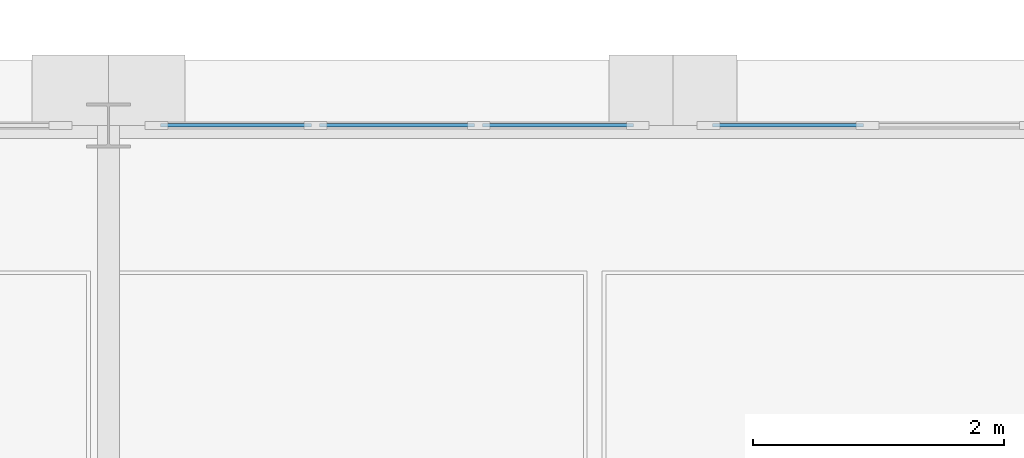
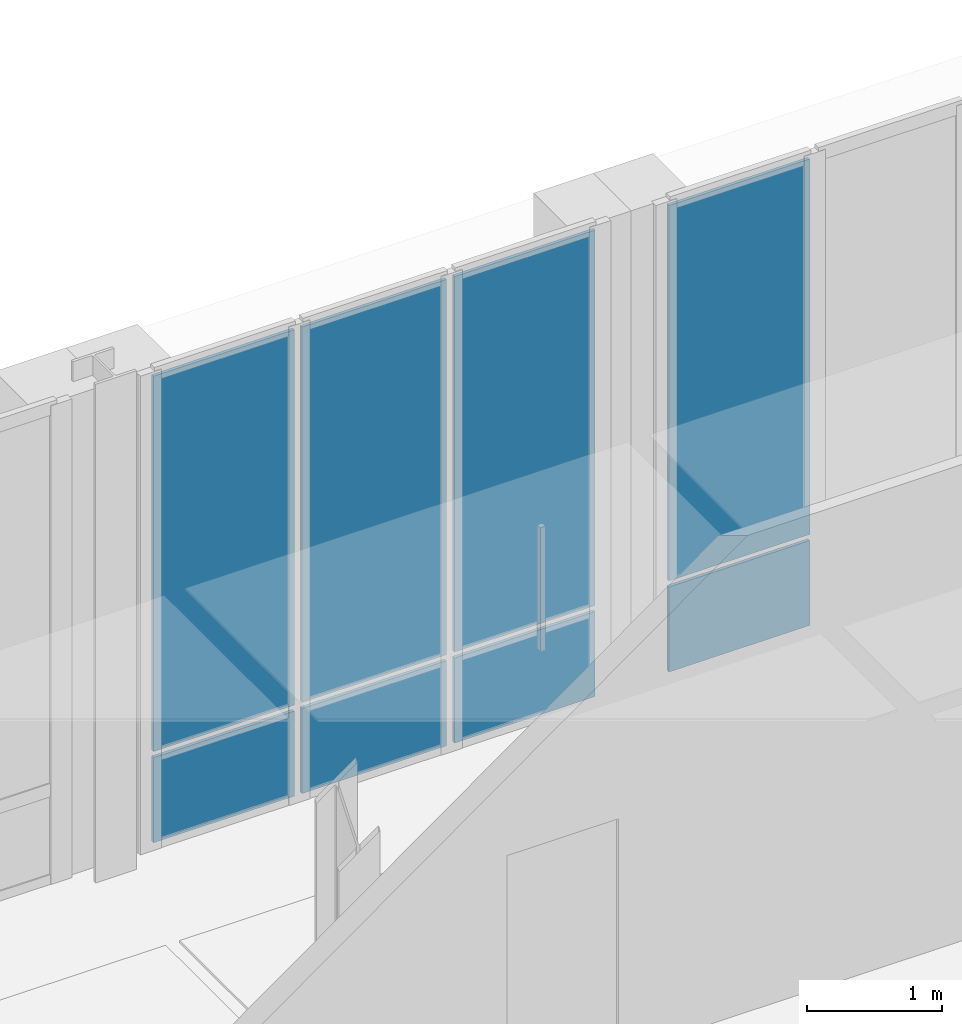
# One storey, part 59 of 130: 8 plates, 2 elements without a shape of their own.
"""IFC4 building model written with IfcOpenShell, lengths in metres."""

from ifc_helpers import new_model, si_unit, direction, frame, origin, origin_2d, place, context, subcontext, project, spatial, rectangle, extrude, material, layer, layer_set, type_object, element, aggregate, save


model = new_model("IFC4")

# Units and contexts
model_context = context("Model", 3, precision=1e-05, world=origin(), true_north=direction((0.0, 1.0)))
body_context = subcontext(model_context, "Body", "Model", "MODEL_VIEW")
ifc_project = project(units=[si_unit("LENGTHUNIT", "METRE"), si_unit("AREAUNIT", "SQUARE_METRE"), si_unit("VOLUMEUNIT", "CUBIC_METRE"), si_unit("PLANEANGLEUNIT", "RADIAN"), si_unit("MASSUNIT", "GRAM", prefix="KILO"), si_unit("THERMODYNAMICTEMPERATUREUNIT", "KELVIN"), si_unit("POWERUNIT", "WATT")], contexts=[model_context])

# Site, building, storey
site_placement = place(None, origin())
site = spatial("IfcSite", under=ifc_project, at=site_placement, CompositionType="ELEMENT")
building_placement = place(site_placement, origin())
building = spatial("IfcBuilding", under=site, at=building_placement, Name="Tallowbark Science Centre", CompositionType="ELEMENT")
storey_placement = place(building_placement, frame((0.0, 0.0, 5.39990234375)))
storey = spatial("IfcBuildingStorey", under=building, at=storey_placement, Name="L01", CompositionType="ELEMENT", Elevation=5.39990234375)

# Curtain wall, plates
ifc_material_1 = material(Name="Unitised Thermally Broken Aluminium and Low-E Double Glazing", Category="aluminium")
curtain_wall_type = type_object("IfcCurtainWallType", Name="CW-SYS-FACADE", PredefinedType="NOTDEFINED", material=ifc_material_1)
curtain_wall_1_placement = place(storey_placement, origin())
curtain_wall_1 = element("IfcCurtainWall", 1, at=curtain_wall_1_placement, inside=storey, type_object=curtain_wall_type, Name="Unitised Curtain Wall OBS-N-121A CW-L01-118", PredefinedType="NOTDEFINED")
ifc_material_2 = material(Name="Double Glazed Argon Low-E Vision Glass", Category="glass")
ifc_layer = layer(ifc_material_2, 0.028076171875)
ifc_layer_set = layer_set([ifc_layer], Name="Double Glazed Argon Low-E Vision Glass")
plate_type = type_object("IfcPlateType", Name="CWP-GLZ-28", PredefinedType="CURTAIN_PANEL", material=ifc_layer_set)
plate_1_placement = place(storey_placement, frame((126.916259765625, 111.60009765625, 0.05517578125), z_axis=(0.0, 0.0, 1.0), x_axis=(-1.0, 0.0, 0.0)))
plate_1 = element("IfcPlate", 2, at=plate_1_placement, type_object=plate_type, Name="CW-01 panel 3.1", PredefinedType="CURTAIN_PANEL", context=body_context, shape_type="SweptSolid", body=[
    extrude(rectangle(XDim=1.202392578125, YDim=0.028076171875, at=origin_2d()), origin(), (0.0, 0.0, 1.0), 0.767578125),
])
plate_2_placement = place(storey_placement, frame((126.916259765625, 111.60009765625, 0.87744140625), z_axis=(0.0, 0.0, 1.0), x_axis=(-1.0, 0.0, 0.0)))
plate_2 = element("IfcPlate", 3, at=plate_2_placement, type_object=plate_type, Name="CW-01 panel 3.2", PredefinedType="CURTAIN_PANEL", context=body_context, shape_type="SweptSolid", body=[
    extrude(rectangle(XDim=1.202392578125, YDim=0.028076171875, at=origin_2d()), origin(), (0.0, 0.0, 1.0), 3.387451171875),
])
aggregate(curtain_wall_1, [plate_1, plate_2])

curtain_wall_2_placement = place(storey_placement, origin())
curtain_wall_2 = element("IfcCurtainWall", 4, at=curtain_wall_2_placement, inside=storey, type_object=curtain_wall_type, Name="Unitised Curtain Wall OBS-N-121B CW-L01-119", PredefinedType="NOTDEFINED")
plate_3_placement = place(storey_placement, frame((125.083740234375, 111.60009765625, 0.05517578125), z_axis=(0.0, 0.0, 1.0), x_axis=(-1.0, 0.0, 0.0)))
plate_3 = element("IfcPlate", 5, at=plate_3_placement, type_object=plate_type, Name="CW-01 panel 1.1", PredefinedType="CURTAIN_PANEL", context=body_context, shape_type="SweptSolid", body=[
    extrude(rectangle(XDim=1.202392578125, YDim=0.028076171875, at=origin_2d()), origin(), (0.0, 0.0, 1.0), 0.767578125),
])
plate_4_placement = place(storey_placement, frame((125.083740234375, 111.60009765625, 0.87744140625), z_axis=(0.0, 0.0, 1.0), x_axis=(-1.0, 0.0, 0.0)))
plate_4 = element("IfcPlate", 6, at=plate_4_placement, type_object=plate_type, Name="CW-01 panel 1.2", PredefinedType="CURTAIN_PANEL", context=body_context, shape_type="SweptSolid", body=[
    extrude(rectangle(XDim=1.202392578125, YDim=0.028076171875, at=origin_2d()), origin(), (0.0, 0.0, 1.0), 3.387451171875),
])
plate_5_placement = place(storey_placement, frame((123.800048828125, 111.60009765625, 0.05517578125), z_axis=(0.0, 0.0, 1.0), x_axis=(-1.0, 0.0, 0.0)))
plate_5 = element("IfcPlate", 7, at=plate_5_placement, type_object=plate_type, Name="CW-01 panel 2.1", PredefinedType="CURTAIN_PANEL", context=body_context, shape_type="SweptSolid", body=[
    extrude(rectangle(XDim=1.235107421875, YDim=0.028076171875, at=origin_2d()), origin(), (0.0, 0.0, 1.0), 0.767578125),
])
plate_6_placement = place(storey_placement, frame((123.800048828125, 111.60009765625, 0.87744140625), z_axis=(0.0, 0.0, 1.0), x_axis=(-1.0, 0.0, 0.0)))
plate_6 = element("IfcPlate", 8, at=plate_6_placement, type_object=plate_type, Name="CW-01 panel 2.2", PredefinedType="CURTAIN_PANEL", context=body_context, shape_type="SweptSolid", body=[
    extrude(rectangle(XDim=1.235107421875, YDim=0.028076171875, at=origin_2d()), origin(), (0.0, 0.0, 1.0), 3.387451171875),
])
plate_7_placement = place(storey_placement, frame((122.516357421875, 111.60009765625, 0.05517578125), z_axis=(0.0, 0.0, 1.0), x_axis=(-1.0, 0.0, 0.0)))
plate_7 = element("IfcPlate", 9, at=plate_7_placement, type_object=plate_type, Name="CW-01 panel 3.1", PredefinedType="CURTAIN_PANEL", context=body_context, shape_type="SweptSolid", body=[
    extrude(rectangle(XDim=1.202392578125, YDim=0.028076171875, at=origin_2d()), origin(), (0.0, 0.0, 1.0), 0.767578125),
])
plate_8_placement = place(storey_placement, frame((122.516357421875, 111.60009765625, 0.87744140625), z_axis=(0.0, 0.0, 1.0), x_axis=(-1.0, 0.0, 0.0)))
plate_8 = element("IfcPlate", 10, at=plate_8_placement, type_object=plate_type, Name="CW-01 panel 3.2", PredefinedType="CURTAIN_PANEL", context=body_context, shape_type="SweptSolid", body=[
    extrude(rectangle(XDim=1.202392578125, YDim=0.028076171875, at=origin_2d()), origin(), (0.0, 0.0, 1.0), 3.387451171875),
])
aggregate(curtain_wall_2, [plate_3, plate_4, plate_5, plate_6, plate_7, plate_8])

save(model, "model.ifc")
